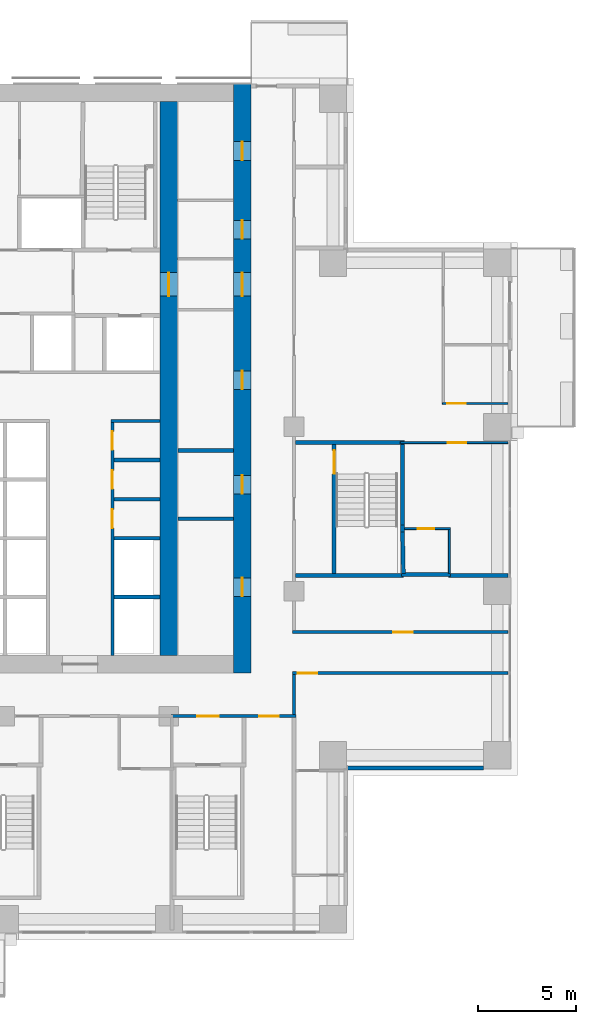
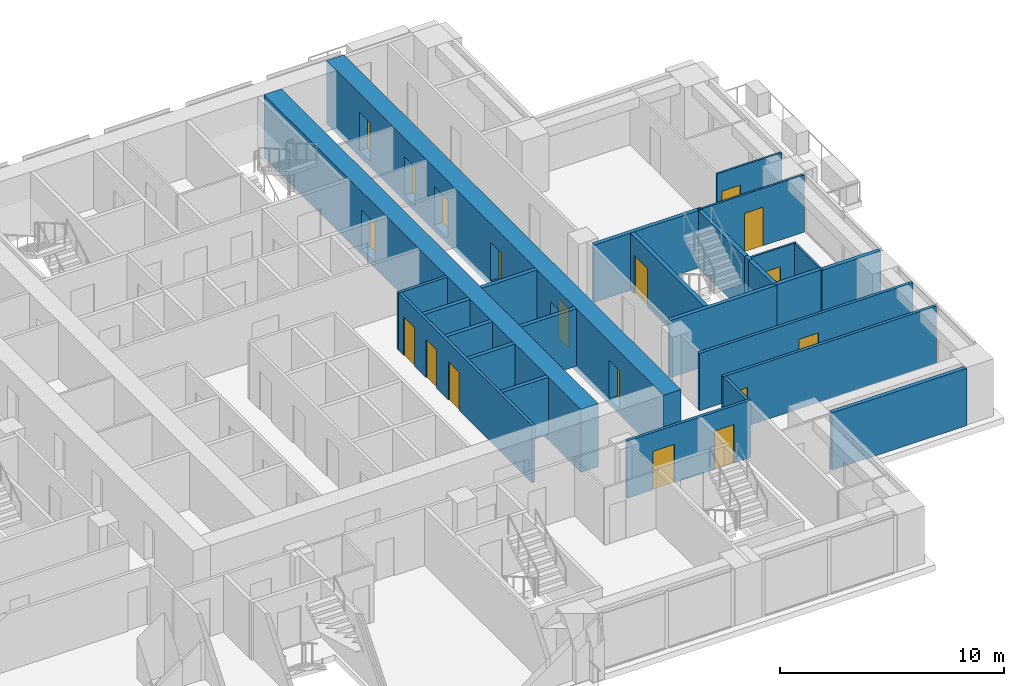
# One storey, part 9 of 16: 27 walls, 18 doors, 18 openings.
"""IFC4 building model written with IfcOpenShell, lengths in metres."""

import ifcopenshell
import ifcopenshell.guid

model = None  # the IFC model being written
_history = None  # IfcOwnerHistory: only IFC2X3 demands one
_inside = {}  # id of a spatial element -> (the spatial element, [elements in it])
_under = {}  # id of a project, library or spatial element -> (it, [spatial elements below it])
_declared = {}  # id of a project -> (the project, [libraries it declares])
_typed = {}  # id of a type object -> (the type object, [elements of that type])
_made_of = {}  # id of a material, layer set ... -> (it, [elements and type objects made of it])


def new_model(schema):
    """Start an empty IFC model of exactly this schema.

    Asked for "IFC4X3", IfcOpenShell would pick the latest addendum, in which some entities
    have other attributes; the version numbers below select the first issue.
    IFC2X3 requires an IfcOwnerHistory on every rooted entity: one is made here for all.
    """
    global model, _history
    if schema == "IFC4X3":
        model = ifcopenshell.file(schema_version=(4, 3, 0, 0))
    else:
        model = ifcopenshell.file(schema=schema)
    _inside.clear()
    _under.clear()
    _declared.clear()
    _typed.clear()
    _made_of.clear()
    _history = None
    if model.schema == "IFC2X3":
        org = make("IfcOrganization", Name="unknown")
        user = make(
            "IfcPersonAndOrganization",
            ThePerson=make("IfcPerson", FamilyName="unknown"),
            TheOrganization=org,
        )
        app = make(
            "IfcApplication",
            ApplicationDeveloper=org,
            Version="unknown",
            ApplicationFullName="unknown",
            ApplicationIdentifier="unknown",
        )
        _history = make(
            "IfcOwnerHistory",
            OwningUser=user,
            OwningApplication=app,
            ChangeAction="ADDED",
            CreationDate=0,
        )
    return model


def make(cls, **values):
    """One entity of the class cls with the attributes given. An attribute that is None is left unset."""
    return model.create_entity(
        cls, **{name: value for name, value in values.items() if value is not None}
    )


def rooted(cls, **values):
    """An entity with a GlobalId (a new one), such as an element, a storey or a relation."""
    return make(cls, GlobalId=ifcopenshell.guid.new(), OwnerHistory=_history, **values)


def si_unit(unit_type, name, prefix=None):
    """IfcSIUnit, for example si_unit("LENGTHUNIT", "METRE", prefix="MILLI")."""
    return make("IfcSIUnit", UnitType=unit_type, Prefix=prefix, Name=name)


def assignment(units):
    """IfcUnitAssignment: the units of a project."""
    return None if units is None else make("IfcUnitAssignment", Units=units)


def point(xyz):
    """IfcCartesianPoint."""
    return None if xyz is None else make("IfcCartesianPoint", Coordinates=xyz)


def direction(xyz):
    """IfcDirection."""
    return None if xyz is None else make("IfcDirection", DirectionRatios=xyz)


def frame(location, z_axis=None, x_axis=None):
    """IfcAxis2Placement3D, a coordinate frame: its origin and axes. An axis left out is left unset."""
    return make(
        "IfcAxis2Placement3D",
        Location=point(location),
        Axis=direction(z_axis),
        RefDirection=direction(x_axis),
    )


def frame_2d(location, x_axis=None):
    """IfcAxis2Placement2D, a coordinate frame in the plane: its origin and x axis."""
    return make(
        "IfcAxis2Placement2D", Location=point(location), RefDirection=direction(x_axis)
    )


def origin():
    """The frame at (0, 0, 0) with its axes left unset."""
    return frame((0.0, 0.0, 0.0))


def place(relative_to, where):
    """IfcLocalPlacement: puts the frame where relative to a parent placement (None: the world)."""
    return make(
        "IfcLocalPlacement", PlacementRelTo=relative_to, RelativePlacement=where
    )


def context(
    kind, dimensions, precision=None, world=None, true_north=None, identifier=None
):
    """IfcGeometricRepresentationContext, for example the 3D "Model" context."""
    return make(
        "IfcGeometricRepresentationContext",
        ContextIdentifier=identifier,
        ContextType=kind,
        CoordinateSpaceDimension=dimensions,
        Precision=precision,
        WorldCoordinateSystem=world,
        TrueNorth=true_north,
    )


def subcontext(parent, identifier, kind, view, scale=None):
    """IfcGeometricRepresentationSubContext, for example "Body" below "Model"."""
    return make(
        "IfcGeometricRepresentationSubContext",
        ContextIdentifier=identifier,
        ContextType=kind,
        ParentContext=parent,
        TargetScale=scale,
        TargetView=view,
    )


def project(units=None, contexts=None):
    """IfcProject with its units and contexts."""
    return rooted(
        "IfcProject",
        Name="project",
        RepresentationContexts=contexts,
        UnitsInContext=assignment(units),
    )


def spatial(cls, under=None, at=None, **own):
    """A site, building, storey or space (cls), placed at a placement, below another one or the project."""
    s = rooted(cls, ObjectPlacement=at, **own)
    if under is not None:
        _under.setdefault(under.id(), (under, []))[1].append(s)
    return s


def profile(cls, at=None, kind="AREA", **sizes):
    """A parametric profile (cls). Its sizes go by their IFC names, for example OverallWidth=200.0."""
    return make(cls, ProfileType=kind, Position=at, **sizes)


def rectangle(**sizes):
    """IfcRectangleProfileDef."""
    return profile("IfcRectangleProfileDef", **sizes)


def extrude(swept, where, along, depth):
    """IfcExtrudedAreaSolid: the profile swept, set in the frame where, extruded along a direction by depth."""
    return make(
        "IfcExtrudedAreaSolid",
        SweptArea=swept,
        Position=where,
        ExtrudedDirection=direction(along),
        Depth=depth,
    )


def shape(context_of_items, identifier, shape_type, items):
    """IfcShapeRepresentation: the items that make up one representation, for example the "Body"."""
    return make(
        "IfcShapeRepresentation",
        ContextOfItems=context_of_items,
        RepresentationIdentifier=identifier,
        RepresentationType=shape_type,
        Items=items,
    )


def material(Name=None, Category=None):
    """IfcMaterial."""
    return make("IfcMaterial", Name=Name, Category=Category)


def layer(
    of_material, thickness, ventilated=None, Name=None, Category=None, Priority=None
):
    """IfcMaterialLayer: one layer of a wall or slab, of a material (None: an air gap)."""
    return make(
        "IfcMaterialLayer",
        Material=of_material,
        LayerThickness=thickness,
        IsVentilated=ventilated,
        Name=Name,
        Category=Category,
        Priority=Priority,
    )


def layer_set(layers, Name=None):
    """IfcMaterialLayerSet."""
    return make("IfcMaterialLayerSet", MaterialLayers=layers, LayerSetName=Name)


def made_of(thing, what):
    """Note that an element or type object is made of a material, layer set ...; save() writes the relation."""
    if what is not None:
        _made_of.setdefault(what.id(), (what, []))[1].append(thing)
    return thing


def type_object(cls, material=None, **own):
    """A type object (cls), such as IfcWallType, which elements share."""
    return made_of(rooted(cls, **own), material)


def element(
    cls,
    number,
    at=None,
    inside=None,
    cuts=None,
    type_object=None,
    material=None,
    context=None,
    identifier="Body",
    shape_type=None,
    held_by="IfcProductDefinitionShape",
    body=None,
    shapes=None,
    **own,
):
    """One element of the class cls, such as IfcWall. Its Tag is "e" and its number.

    at: its placement. inside: the storey or other place that contains it. cuts: it is an
    opening in that element (IfcRelVoidsElement). A single representation is given by context,
    identifier, shape_type and body (its items); several are given by shapes. held_by: the class
    of the entity that holds the representations. save() writes the other relations.
    """
    e = rooted(cls, Tag="e%d" % number, ObjectPlacement=at, **own)
    if body is not None:
        shapes = [shape(context, identifier, shape_type, body)]
    if shapes is not None:
        e.Representation = make(held_by, Representations=shapes)
    if inside is not None:
        _inside.setdefault(inside.id(), (inside, []))[1].append(e)
    if cuts is not None:
        rooted(
            "IfcRelVoidsElement", RelatingBuildingElement=cuts, RelatedOpeningElement=e
        )
    if type_object is not None:
        _typed.setdefault(type_object.id(), (type_object, []))[1].append(e)
    return made_of(e, material)


def fill(opening, filler):
    """IfcRelFillsElement: the door or window that sits in an opening."""
    return rooted(
        "IfcRelFillsElement",
        RelatingOpeningElement=opening,
        RelatedBuildingElement=filler,
    )


def aggregate(whole, parts):
    """IfcRelAggregates: a whole, such as a stair, and the parts it consists of."""
    return rooted("IfcRelAggregates", RelatingObject=whole, RelatedObjects=parts)


def save(model, path):
    """Write the relations noted so far, then the file.

    IfcRelAggregates (storeys below a building ...), IfcRelContainedInSpatialStructure (elements
    in a storey), IfcRelDefinesByType, IfcRelAssociatesMaterial and IfcRelDeclares: one each for
    every whole, place, type object, material and project.
    """
    for whole, parts in _under.values():
        aggregate(whole, parts)
    for where, things in _inside.values():
        rooted(
            "IfcRelContainedInSpatialStructure",
            RelatedElements=things,
            RelatingStructure=where,
        )
    for kind, things in _typed.values():
        rooted("IfcRelDefinesByType", RelatedObjects=things, RelatingType=kind)
    for what, things in _made_of.values():
        rooted("IfcRelAssociatesMaterial", RelatedObjects=things, RelatingMaterial=what)
    for by, libraries in _declared.values():
        rooted("IfcRelDeclares", RelatingContext=by, RelatedDefinitions=libraries)
    model.write(path)


model = new_model("IFC4")

# Units and contexts
model_context = context("Model", 3, precision=1e-05, world=origin(), true_north=direction((0.0, 1.0)))
body_context = subcontext(model_context, "Body", "Model", "MODEL_VIEW")
ifc_project = project(units=[si_unit("LENGTHUNIT", "METRE"), si_unit("AREAUNIT", "SQUARE_METRE"), si_unit("VOLUMEUNIT", "CUBIC_METRE"), si_unit("PLANEANGLEUNIT", "RADIAN"), si_unit("MASSUNIT", "GRAM", prefix="KILO")], contexts=[model_context])

# Site, building, storey
site_placement = place(None, origin())
site = spatial("IfcSite", under=ifc_project, at=site_placement, CompositionType="ELEMENT")
building_placement = place(site_placement, origin())
building = spatial("IfcBuilding", under=site, at=building_placement, Name="Vermilion Ogive Tower", CompositionType="ELEMENT")
storey_placement = place(building_placement, frame((0.0, 0.0, 41.39990234375)))
storey = spatial("IfcBuildingStorey", under=building, at=storey_placement, Name="L08", CompositionType="ELEMENT", Elevation=41.39990234375)

# Wall, openings, doors
ifc_material_1 = material(Name="Concrete B80", Category="concrete")
ifc_layer_1 = layer(ifc_material_1, 0.89990234375)
ifc_layer_set_1 = layer_set([ifc_layer_1], Name="Core wall 900 B80")
wall_type_1 = type_object("IfcWallType", Name="Core wall 900 B80", PredefinedType="SHEAR", material=ifc_layer_set_1)
wall_1_placement = place(storey_placement, frame((12.14990234375, -8.39990234375, -0.31982421875), z_axis=(0.0, 0.0, 1.0), x_axis=(0.0, 1.0, 0.0)))
wall_1 = element("IfcWall", 1, at=wall_1_placement, inside=storey, type_object=wall_type_1, Name="L08-CORE-E", PredefinedType="SHEAR", context=body_context, shape_type="SweptSolid", body=[
    extrude(rectangle(XDim=30.14990234375, YDim=0.89990234375, at=frame_2d((15.074951171875, 0.0))), origin(), (0.0, 0.0, 1.0), 3.449951171875),
])
opening_1_placement = place(wall_1_placement, frame((3.925048828125, 0.0, 0.320068359375)))
opening_1 = element("IfcOpeningElement", 2, at=opening_1_placement, cuts=wall_1, Name="Opening DAC007", PredefinedType="OPENING", context=body_context, shape_type="SweptSolid", body=[
    extrude(rectangle(XDim=0.949951171875, YDim=2.10009765625, at=frame_2d((0.47509765625, 1.050048828125))), frame((0.0, 0.4599609375, 0.0), z_axis=(0.0, -1.0, 0.0), x_axis=(1.0, 0.0, 0.0)), (0.0, 0.0, 1.0), 0.919921875),
])
opening_2_placement = place(wall_1_placement, frame((9.175048828125, 0.0, 0.320068359375)))
opening_2 = element("IfcOpeningElement", 3, at=opening_2_placement, cuts=wall_1, Name="Opening DAC008", PredefinedType="OPENING", context=body_context, shape_type="SweptSolid", body=[
    extrude(rectangle(XDim=0.949951171875, YDim=2.10009765625, at=frame_2d((0.47509765625, 1.050048828125))), frame((0.0, 0.4599609375, 0.0), z_axis=(0.0, -1.0, 0.0), x_axis=(1.0, 0.0, 0.0)), (0.0, 0.0, 1.0), 0.919921875),
])
opening_3_placement = place(wall_1_placement, frame((14.52490234375, 0.0, 0.320068359375)))
opening_3 = element("IfcOpeningElement", 4, at=opening_3_placement, cuts=wall_1, Name="Opening DAC009", PredefinedType="OPENING", context=body_context, shape_type="SweptSolid", body=[
    extrude(rectangle(XDim=0.949951171875, YDim=2.10009765625, at=frame_2d((0.47509765625, 1.050048828125))), frame((0.0, 0.4599609375, 0.0), z_axis=(0.0, -1.0, 0.0), x_axis=(1.0, 0.0, 0.0)), (0.0, 0.0, 1.0), 0.919921875),
])
opening_4_placement = place(wall_1_placement, frame((22.22509765625, 0.0, 0.320068359375)))
opening_4 = element("IfcOpeningElement", 5, at=opening_4_placement, cuts=wall_1, Name="Opening DAC010", PredefinedType="OPENING", context=body_context, shape_type="SweptSolid", body=[
    extrude(rectangle(XDim=0.949951171875, YDim=2.10009765625, at=frame_2d((0.47509765625, 1.050048828125))), frame((0.0, 0.4599609375, 0.0), z_axis=(0.0, -1.0, 0.0), x_axis=(1.0, 0.0, 0.0)), (0.0, 0.0, 1.0), 0.919921875),
])
opening_5_placement = place(wall_1_placement, frame((26.25, 0.0, 0.320068359375)))
opening_5 = element("IfcOpeningElement", 6, at=opening_5_placement, cuts=wall_1, Name="Opening DAC011", PredefinedType="OPENING", context=body_context, shape_type="SweptSolid", body=[
    extrude(rectangle(XDim=0.949951171875, YDim=2.10009765625, at=frame_2d((0.47509765625, 1.050048828125))), frame((0.0, 0.4599609375, 0.0), z_axis=(0.0, -1.0, 0.0), x_axis=(1.0, 0.0, 0.0)), (0.0, 0.0, 1.0), 0.919921875),
])
opening_6_placement = place(wall_1_placement, frame((19.300048828125, 0.0, 0.320068359375)))
opening_6 = element("IfcOpeningElement", 7, at=opening_6_placement, cuts=wall_1, Name="Opening DAL002", PredefinedType="OPENING", context=body_context, shape_type="SweptSolid", body=[
    extrude(rectangle(XDim=1.199951171875, YDim=2.10009765625, at=frame_2d((0.60009765625, 1.050048828125))), frame((0.0, 0.4599609375, 0.0), z_axis=(0.0, -1.0, 0.0), x_axis=(1.0, 0.0, 0.0)), (0.0, 0.0, 1.0), 0.919921875),
])
ifc_material_2 = material(Name="Timber door leaf", Category="wood")
door_type_1 = type_object("IfcDoorType", Name="Link door 1200 x 2100 FD60S", OperationType="SINGLE_SWING_LEFT", PredefinedType="DOOR", material=ifc_material_2)
door_1_placement = place(opening_6_placement, origin())
door_1 = element("IfcDoor", 8, at=door_1_placement, inside=storey, type_object=door_type_1, Name="L08-CKE-XL", OperationType="SINGLE_SWING_LEFT", OverallHeight=2.10009765625, OverallWidth=1.199951171875, PredefinedType="DOOR", context=body_context, shape_type="SweptSolid", body=[
    extrude(rectangle(XDim=1.199951171875, YDim=2.10009765625, at=frame_2d((0.60009765625, 1.050048828125))), frame((0.0, 0.02490234375, 0.0), z_axis=(0.0, -1.0, 0.0), x_axis=(1.0, 0.0, 0.0)), (0.0, 0.0, 1.0), 0.050048828125),
])
fill(opening_6, door_1)
ifc_material_3 = material(Name="Timber door leaf", Category="wood")
door_type_2 = type_object("IfcDoorType", Name="Service door 950 x 2100 FD60", OperationType="SINGLE_SWING_LEFT", PredefinedType="DOOR", material=ifc_material_3)
door_2_placement = place(opening_1_placement, origin())
door_2 = element("IfcDoor", 9, at=door_2_placement, inside=storey, type_object=door_type_2, Name="L08-CKE-XR0", OperationType="SINGLE_SWING_LEFT", OverallHeight=2.10009765625, OverallWidth=0.949951171875, PredefinedType="DOOR", context=body_context, shape_type="SweptSolid", body=[
    extrude(rectangle(XDim=0.949951171875, YDim=2.10009765625, at=frame_2d((0.47509765625, 1.050048828125))), frame((0.0, 0.02490234375, 0.0), z_axis=(0.0, -1.0, 0.0), x_axis=(1.0, 0.0, 0.0)), (0.0, 0.0, 1.0), 0.050048828125),
])
fill(opening_1, door_2)
door_3_placement = place(opening_2_placement, origin())
door_3 = element("IfcDoor", 10, at=door_3_placement, inside=storey, type_object=door_type_2, Name="L08-CKE-XR1", OperationType="SINGLE_SWING_LEFT", OverallHeight=2.10009765625, OverallWidth=0.949951171875, PredefinedType="DOOR", context=body_context, shape_type="SweptSolid", body=[
    extrude(rectangle(XDim=0.949951171875, YDim=2.10009765625, at=frame_2d((0.47509765625, 1.050048828125))), frame((0.0, 0.02490234375, 0.0), z_axis=(0.0, -1.0, 0.0), x_axis=(1.0, 0.0, 0.0)), (0.0, 0.0, 1.0), 0.050048828125),
])
fill(opening_2, door_3)
door_4_placement = place(opening_3_placement, origin())
door_4 = element("IfcDoor", 11, at=door_4_placement, inside=storey, type_object=door_type_2, Name="L08-CKE-XR2", OperationType="SINGLE_SWING_LEFT", OverallHeight=2.10009765625, OverallWidth=0.949951171875, PredefinedType="DOOR", context=body_context, shape_type="SweptSolid", body=[
    extrude(rectangle(XDim=0.949951171875, YDim=2.10009765625, at=frame_2d((0.47509765625, 1.050048828125))), frame((0.0, 0.02490234375, 0.0), z_axis=(0.0, -1.0, 0.0), x_axis=(1.0, 0.0, 0.0)), (0.0, 0.0, 1.0), 0.050048828125),
])
fill(opening_3, door_4)
door_5_placement = place(opening_4_placement, origin())
door_5 = element("IfcDoor", 12, at=door_5_placement, inside=storey, type_object=door_type_2, Name="L08-CKE-XR3", OperationType="SINGLE_SWING_LEFT", OverallHeight=2.10009765625, OverallWidth=0.949951171875, PredefinedType="DOOR", context=body_context, shape_type="SweptSolid", body=[
    extrude(rectangle(XDim=0.949951171875, YDim=2.10009765625, at=frame_2d((0.47509765625, 1.050048828125))), frame((0.0, 0.02490234375, 0.0), z_axis=(0.0, -1.0, 0.0), x_axis=(1.0, 0.0, 0.0)), (0.0, 0.0, 1.0), 0.050048828125),
])
fill(opening_4, door_5)
door_6_placement = place(opening_5_placement, origin())
door_6 = element("IfcDoor", 13, at=door_6_placement, inside=storey, type_object=door_type_2, Name="L08-CKE-XR4", OperationType="SINGLE_SWING_LEFT", OverallHeight=2.10009765625, OverallWidth=0.949951171875, PredefinedType="DOOR", context=body_context, shape_type="SweptSolid", body=[
    extrude(rectangle(XDim=0.949951171875, YDim=2.10009765625, at=frame_2d((0.47509765625, 1.050048828125))), frame((0.0, 0.02490234375, 0.0), z_axis=(0.0, -1.0, 0.0), x_axis=(1.0, 0.0, 0.0)), (0.0, 0.0, 1.0), 0.050048828125),
])
fill(opening_5, door_6)

# Wall, opening, door
wall_2_placement = place(storey_placement, frame((8.39990234375, -7.5, -0.31982421875), z_axis=(0.0, 0.0, 1.0), x_axis=(0.0, 1.0, 0.0)))
wall_2 = element("IfcWall", 14, at=wall_2_placement, inside=storey, type_object=wall_type_1, Name="L08-CORE-WEB2", PredefinedType="SHEAR", context=body_context, shape_type="SweptSolid", body=[
    extrude(rectangle(XDim=28.35009765625, YDim=0.89990234375, at=frame_2d((14.175048828125, 0.0))), origin(), (0.0, 0.0, 1.0), 3.449951171875),
])
opening_7_placement = place(wall_2_placement, frame((18.39990234375, 0.0, 0.320068359375)))
opening_7 = element("IfcOpeningElement", 15, at=opening_7_placement, cuts=wall_2, Name="Opening DAO002", PredefinedType="OPENING", context=body_context, shape_type="SweptSolid", body=[
    extrude(rectangle(XDim=1.199951171875, YDim=2.10009765625, at=frame_2d((0.60009765625, 1.050048828125))), frame((0.0, 0.4599609375, 0.0), z_axis=(0.0, -1.0, 0.0), x_axis=(1.0, 0.0, 0.0)), (0.0, 0.0, 1.0), 0.919921875),
])
door_7_placement = place(opening_7_placement, origin())
door_7 = element("IfcDoor", 16, at=door_7_placement, inside=storey, type_object=door_type_1, Name="L08-CKE-XW", OperationType="SINGLE_SWING_LEFT", OverallHeight=2.10009765625, OverallWidth=1.199951171875, PredefinedType="DOOR", context=body_context, shape_type="SweptSolid", body=[
    extrude(rectangle(XDim=1.199951171875, YDim=2.10009765625, at=frame_2d((0.60009765625, 1.050048828125))), frame((0.0, 0.02490234375, 0.0), z_axis=(0.0, -1.0, 0.0), x_axis=(1.0, 0.0, 0.0)), (0.0, 0.0, 1.0), 0.050048828125),
])
fill(opening_7, door_7)

ifc_material_4 = material(Name="Gypsum board partition on steel studs", Category="steel")
ifc_layer_2 = layer(ifc_material_4, 0.10009765625)
ifc_layer_set_2 = layer_set([ifc_layer_2], Name="Partition 100 bath")
wall_type_2 = type_object("IfcWallType", Name="Partition 100 bath", PredefinedType="PARTITIONING", material=ifc_layer_set_2)
wall_3_placement = place(storey_placement, frame((20.449951171875, -1.0, 0.0), z_axis=(0.0, 0.0, 1.0), x_axis=(1.0, 0.0, 0.0)))
wall_3 = element("IfcWall", 17, at=wall_3_placement, inside=storey, type_object=wall_type_2, Name="L08-W-W027", PredefinedType="PARTITIONING", context=body_context, shape_type="SweptSolid", body=[
    extrude(rectangle(XDim=2.35009765625, YDim=0.10009765625, at=frame_2d((1.175048828125, 0.0))), origin(), (0.0, 0.0, 1.0), 3.130126953125),
])
opening_8_placement = place(wall_3_placement, frame((0.675048828125, 0.0, 0.0)))
opening_8 = element("IfcOpeningElement", 18, at=opening_8_placement, cuts=wall_3, Name="Opening D1G2022", PredefinedType="OPENING", context=body_context, shape_type="SweptSolid", body=[
    extrude(rectangle(XDim=0.85009765625, YDim=2.10009765625, at=frame_2d((0.425048828125, 1.050048828125))), frame((0.0, 0.06005859375, 0.0), z_axis=(0.0, -1.0, 0.0), x_axis=(1.0, 0.0, 0.0)), (0.0, 0.0, 1.0), 0.1201171875),
])
ifc_material_5 = material(Name="Timber door leaf", Category="wood")
door_type_3 = type_object("IfcDoorType", Name="Bath door 850 x 2100 FD30", OperationType="SINGLE_SWING_LEFT", PredefinedType="DOOR", material=ifc_material_5)
door_8_placement = place(opening_8_placement, origin())
door_8 = element("IfcDoor", 19, at=door_8_placement, inside=storey, type_object=door_type_3, Name="L08-D-D022", OperationType="SINGLE_SWING_RIGHT", OverallHeight=2.10009765625, OverallWidth=0.85009765625, PredefinedType="DOOR", context=body_context, shape_type="SweptSolid", body=[
    extrude(rectangle(XDim=0.85009765625, YDim=2.10009765625, at=frame_2d((0.425048828125, 1.050048828125))), frame((0.0, 0.02490234375, 0.0), z_axis=(0.0, -1.0, 0.0), x_axis=(1.0, 0.0, 0.0)), (0.0, 0.0, 1.0), 0.050048828125),
])
fill(opening_8, door_8)

# Wall
wall_4_placement = place(storey_placement, frame((22.75, -3.300048828125, 0.0), z_axis=(0.0, 0.0, 1.0), x_axis=(0.0, 1.0, 0.0)))
element("IfcWall", 20, at=wall_4_placement, inside=storey, type_object=wall_type_2, Name="L08-W-W073", PredefinedType="PARTITIONING", context=body_context, shape_type="SweptSolid", body=[
    extrude(rectangle(XDim=2.25, YDim=0.10009765625, at=frame_2d((1.125, 0.0))), origin(), (0.0, 0.0, 1.0), 3.130126953125),
])

# Wall, opening, door
ifc_material_6 = material(Name="Gypsum board partition on steel studs", Category="steel")
ifc_layer_3 = layer(ifc_material_6, 0.10009765625)
ifc_layer_set_3 = layer_set([ifc_layer_3], Name="Partition 100 inner")
wall_type_3 = type_object("IfcWallType", Name="Partition 100 inner", PredefinedType="PARTITIONING", material=ifc_layer_set_3)
wall_5_placement = place(storey_placement, frame((20.25, 3.39990234375, 0.0), z_axis=(0.0, 0.0, 1.0), x_axis=(1.0, 0.0, 0.0)))
wall_5 = element("IfcWall", 21, at=wall_5_placement, inside=storey, type_object=wall_type_3, Name="L08-W-W032", PredefinedType="PARTITIONING", context=body_context, shape_type="SweptSolid", body=[
    extrude(rectangle(XDim=5.5, YDim=0.10009765625, at=frame_2d((2.75, 0.0))), origin(), (0.0, 0.0, 1.0), 3.130126953125),
])
opening_9_placement = place(wall_5_placement, frame((2.425048828125, 0.0, 0.0)))
opening_9 = element("IfcOpeningElement", 22, at=opening_9_placement, cuts=wall_5, Name="Opening D1G2021", PredefinedType="OPENING", context=body_context, shape_type="SweptSolid", body=[
    extrude(rectangle(XDim=0.949951171875, YDim=2.10009765625, at=frame_2d((0.47509765625, 1.050048828125))), frame((0.0, 0.06005859375, 0.0), z_axis=(0.0, -1.0, 0.0), x_axis=(1.0, 0.0, 0.0)), (0.0, 0.0, 1.0), 0.1201171875),
])
ifc_material_7 = material(Name="Timber door leaf", Category="wood")
door_type_4 = type_object("IfcDoorType", Name="Inner door 950 x 2100 FD30", OperationType="SINGLE_SWING_LEFT", PredefinedType="DOOR", material=ifc_material_7)
door_9_placement = place(opening_9_placement, origin())
door_9 = element("IfcDoor", 23, at=door_9_placement, inside=storey, type_object=door_type_4, Name="L08-D-D021", OperationType="SINGLE_SWING_LEFT", OverallHeight=2.10009765625, OverallWidth=0.949951171875, PredefinedType="DOOR", context=body_context, shape_type="SweptSolid", body=[
    extrude(rectangle(XDim=0.949951171875, YDim=2.10009765625, at=frame_2d((0.47509765625, 1.050048828125))), frame((0.0, 0.02490234375, 0.0), z_axis=(0.0, -1.0, 0.0), x_axis=(1.0, 0.0, 0.0)), (0.0, 0.0, 1.0), 0.050048828125),
])
fill(opening_9, door_9)

wall_6_placement = place(storey_placement, frame((22.39990234375, 5.39990234375, 0.0), z_axis=(0.0, 0.0, 1.0), x_axis=(1.0, 0.0, 0.0)))
wall_6 = element("IfcWall", 24, at=wall_6_placement, inside=storey, type_object=wall_type_3, Name="L08-W-W034", PredefinedType="PARTITIONING", context=body_context, shape_type="SweptSolid", body=[
    extrude(rectangle(XDim=3.35009765625, YDim=0.10009765625, at=frame_2d((1.675048828125, 0.0))), origin(), (0.0, 0.0, 1.0), 3.130126953125),
])
opening_10_placement = place(wall_6_placement, frame((0.25, 0.0, 0.0)))
opening_10 = element("IfcOpeningElement", 25, at=opening_10_placement, cuts=wall_6, Name="Opening D1G2018", PredefinedType="OPENING", context=body_context, shape_type="SweptSolid", body=[
    extrude(rectangle(XDim=0.949951171875, YDim=2.10009765625, at=frame_2d((0.47509765625, 1.050048828125))), frame((0.0, 0.06005859375, 0.0), z_axis=(0.0, -1.0, 0.0), x_axis=(1.0, 0.0, 0.0)), (0.0, 0.0, 1.0), 0.1201171875),
])
door_10_placement = place(opening_10_placement, origin())
door_10 = element("IfcDoor", 26, at=door_10_placement, inside=storey, type_object=door_type_4, Name="L08-D-D018", OperationType="SINGLE_SWING_LEFT", OverallHeight=2.10009765625, OverallWidth=0.949951171875, PredefinedType="DOOR", context=body_context, shape_type="SweptSolid", body=[
    extrude(rectangle(XDim=0.949951171875, YDim=2.10009765625, at=frame_2d((0.47509765625, 1.050048828125))), frame((0.0, 0.02490234375, 0.0), z_axis=(0.0, -1.0, 0.0), x_axis=(1.0, 0.0, 0.0)), (0.0, 0.0, 1.0), 0.050048828125),
])
fill(opening_10, door_10)

# Wall, openings, doors
ifc_material_8 = material(Name="Gypsum board partition on steel studs", Category="steel")
ifc_layer_4 = layer(ifc_material_8, 0.14990234375)
ifc_layer_set_4 = layer_set([ifc_layer_4], Name="Partition 150 corridor")
wall_type_4 = type_object("IfcWallType", Name="Partition 150 corridor", PredefinedType="PARTITIONING", material=ifc_layer_set_4)
wall_7_placement = place(storey_placement, frame((8.5, -10.60009765625, 0.0), z_axis=(0.0, 0.0, 1.0), x_axis=(1.0, 0.0, 0.0)))
wall_7 = element("IfcWall", 27, at=wall_7_placement, inside=storey, type_object=wall_type_4, Name="L08-W-W017", PredefinedType="PARTITIONING", context=body_context, shape_type="SweptSolid", body=[
    extrude(rectangle(XDim=6.39990234375, YDim=0.14990234375, at=frame_2d((3.199951171875, 0.0))), origin(), (0.0, 0.0, 1.0), 3.130126953125),
])
opening_11_placement = place(wall_7_placement, frame((1.35009765625, 0.0, 0.0)))
opening_11 = element("IfcOpeningElement", 28, at=opening_11_placement, cuts=wall_7, Name="Opening D1G2029", PredefinedType="OPENING", context=body_context, shape_type="SweptSolid", body=[
    extrude(rectangle(XDim=1.10009765625, YDim=2.10009765625, at=frame_2d((0.550048828125, 1.050048828125))), frame((0.0, 0.0849609375, 0.0), z_axis=(0.0, -1.0, 0.0), x_axis=(1.0, 0.0, 0.0)), (0.0, 0.0, 1.0), 0.169921875),
])
opening_12_placement = place(wall_7_placement, frame((4.52490234375, 0.0, 0.0)))
opening_12 = element("IfcOpeningElement", 29, at=opening_12_placement, cuts=wall_7, Name="Opening D1G2036", PredefinedType="OPENING", context=body_context, shape_type="SweptSolid", body=[
    extrude(rectangle(XDim=1.0, YDim=2.10009765625, at=frame_2d((0.5, 1.050048828125))), frame((0.0, 0.0849609375, 0.0), z_axis=(0.0, -1.0, 0.0), x_axis=(1.0, 0.0, 0.0)), (0.0, 0.0, 1.0), 0.169921875),
])
ifc_material_9 = material(Name="Timber door leaf", Category="wood")
door_type_5 = type_object("IfcDoorType", Name="Stair door 1100 x 2100 FD60S", OperationType="SINGLE_SWING_LEFT", PredefinedType="DOOR", material=ifc_material_9)
door_11_placement = place(opening_11_placement, origin())
door_11 = element("IfcDoor", 30, at=door_11_placement, inside=storey, type_object=door_type_5, Name="L08-D-D029", OperationType="SINGLE_SWING_RIGHT", OverallHeight=2.10009765625, OverallWidth=1.10009765625, PredefinedType="DOOR", context=body_context, shape_type="SweptSolid", body=[
    extrude(rectangle(XDim=1.10009765625, YDim=2.10009765625, at=frame_2d((0.550048828125, 1.050048828125))), frame((0.0, 0.02490234375, 0.0), z_axis=(0.0, -1.0, 0.0), x_axis=(1.0, 0.0, 0.0)), (0.0, 0.0, 1.0), 0.050048828125),
])
fill(opening_11, door_11)
ifc_material_10 = material(Name="Timber door leaf", Category="wood")
door_type_6 = type_object("IfcDoorType", Name="Unit door 1000 x 2100 FD30S", OperationType="SINGLE_SWING_LEFT", PredefinedType="DOOR", material=ifc_material_10)
door_12_placement = place(opening_12_placement, origin())
door_12 = element("IfcDoor", 31, at=door_12_placement, inside=storey, type_object=door_type_6, Name="L08-D-D036", OperationType="SINGLE_SWING_RIGHT", OverallHeight=2.10009765625, OverallWidth=1.0, PredefinedType="DOOR", context=body_context, shape_type="SweptSolid", body=[
    extrude(rectangle(XDim=1.0, YDim=2.10009765625, at=frame_2d((0.5, 1.050048828125))), frame((0.0, 0.02490234375, 0.0), z_axis=(0.0, -1.0, 0.0), x_axis=(1.0, 0.0, 0.0)), (0.0, 0.0, 1.0), 0.050048828125),
])
fill(opening_12, door_12)

# Wall, opening, door
wall_8_placement = place(storey_placement, frame((14.72509765625, -8.39990234375, 0.0), z_axis=(0.0, 0.0, 1.0), x_axis=(1.0, 0.0, 0.0)))
wall_8 = element("IfcWall", 32, at=wall_8_placement, inside=storey, type_object=wall_type_4, Name="L08-W-W019", PredefinedType="PARTITIONING", context=body_context, shape_type="SweptSolid", body=[
    extrude(rectangle(XDim=11.02490234375, YDim=0.14990234375, at=frame_2d((5.512451171875, 0.0))), origin(), (0.0, 0.0, 1.0), 3.130126953125),
])
opening_13_placement = place(wall_8_placement, frame((0.27490234375, 0.0, 0.0)))
opening_13 = element("IfcOpeningElement", 33, at=opening_13_placement, cuts=wall_8, Name="Opening D1G2015", PredefinedType="OPENING", context=body_context, shape_type="SweptSolid", body=[
    extrude(rectangle(XDim=1.0, YDim=2.10009765625, at=frame_2d((0.5, 1.050048828125))), frame((0.0, 0.0849609375, 0.0), z_axis=(0.0, -1.0, 0.0), x_axis=(1.0, 0.0, 0.0)), (0.0, 0.0, 1.0), 0.169921875),
])
door_13_placement = place(opening_13_placement, origin())
door_13 = element("IfcDoor", 34, at=door_13_placement, inside=storey, type_object=door_type_6, Name="L08-D-D015", OperationType="SINGLE_SWING_RIGHT", OverallHeight=2.10009765625, OverallWidth=1.0, PredefinedType="DOOR", context=body_context, shape_type="SweptSolid", body=[
    extrude(rectangle(XDim=1.0, YDim=2.10009765625, at=frame_2d((0.5, 1.050048828125))), frame((0.0, 0.02490234375, 0.0), z_axis=(0.0, -1.0, 0.0), x_axis=(1.0, 0.0, 0.0)), (0.0, 0.0, 1.0), 0.050048828125),
])
fill(opening_13, door_13)

wall_9_placement = place(storey_placement, frame((14.72509765625, -6.300048828125, 0.0), z_axis=(0.0, 0.0, 1.0), x_axis=(1.0, 0.0, 0.0)))
wall_9 = element("IfcWall", 35, at=wall_9_placement, inside=storey, type_object=wall_type_4, Name="L08-W-W021", PredefinedType="PARTITIONING", context=body_context, shape_type="SweptSolid", body=[
    extrude(rectangle(XDim=11.02490234375, YDim=0.14990234375, at=frame_2d((5.512451171875, 0.0))), origin(), (0.0, 0.0, 1.0), 3.130126953125),
])
opening_14_placement = place(wall_9_placement, frame((5.14990234375, 0.0, 0.0)))
opening_14 = element("IfcOpeningElement", 36, at=opening_14_placement, cuts=wall_9, Name="Opening D1G2038", PredefinedType="OPENING", context=body_context, shape_type="SweptSolid", body=[
    extrude(rectangle(XDim=1.0, YDim=2.10009765625, at=frame_2d((0.5, 1.050048828125))), frame((0.0, 0.0849609375, 0.0), z_axis=(0.0, -1.0, 0.0), x_axis=(1.0, 0.0, 0.0)), (0.0, 0.0, 1.0), 0.169921875),
])
door_14_placement = place(opening_14_placement, origin())
door_14 = element("IfcDoor", 37, at=door_14_placement, inside=storey, type_object=door_type_6, Name="L08-D-D038", OperationType="SINGLE_SWING_RIGHT", OverallHeight=2.10009765625, OverallWidth=1.0, PredefinedType="DOOR", context=body_context, shape_type="SweptSolid", body=[
    extrude(rectangle(XDim=1.0, YDim=2.10009765625, at=frame_2d((0.5, 1.050048828125))), frame((0.0, 0.02490234375, 0.0), z_axis=(0.0, -1.0, 0.0), x_axis=(1.0, 0.0, 0.0)), (0.0, 0.0, 1.0), 0.050048828125),
])
fill(opening_14, door_14)

# Walls
wall_10_placement = place(storey_placement, frame((14.800048828125, -10.52490234375, 0.0), z_axis=(0.0, 0.0, 1.0), x_axis=(0.0, 1.0, 0.0)))
element("IfcWall", 38, at=wall_10_placement, inside=storey, type_object=wall_type_4, Name="L08-W-W067", PredefinedType="PARTITIONING", context=body_context, shape_type="SweptSolid", body=[
    extrude(rectangle(XDim=2.0498046875, YDim=0.14990234375, at=frame_2d((1.02490234375, 0.0))), origin(), (0.0, 0.0, 1.0), 3.130126953125),
])
wall_11_placement = place(storey_placement, frame((5.425048828125, 4.5, 0.0), z_axis=(0.0, 0.0, 1.0), x_axis=(1.0, 0.0, 0.0)))
element("IfcWall", 39, at=wall_11_placement, inside=storey, type_object=wall_type_4, Name="L08-CK-W-W013", PredefinedType="PARTITIONING", context=body_context, shape_type="SweptSolid", body=[
    extrude(rectangle(XDim=2.52392578125, YDim=0.14990234375, at=frame_2d((1.261962890625, 0.0))), origin(), (0.0, 0.0, 1.0), 3.130126953125),
])

# Wall, openings, doors
wall_12_placement = place(storey_placement, frame((5.5, -7.4990234375, 0.0), z_axis=(0.0, 0.0, 1.0), x_axis=(0.0, 1.0, 0.0)))
wall_12 = element("IfcWall", 40, at=wall_12_placement, inside=storey, type_object=wall_type_4, Name="L08-CK-W-W041", PredefinedType="PARTITIONING", context=body_context, shape_type="SweptSolid", body=[
    extrude(rectangle(XDim=11.924072265625, YDim=0.14990234375, at=frame_2d((5.9619140625, 0.0))), origin(), (0.0, 0.0, 1.0), 3.130126953125),
])
opening_15_placement = place(wall_12_placement, frame((6.52392578125, 0.0, 0.0)))
opening_15 = element("IfcOpeningElement", 41, at=opening_15_placement, cuts=wall_12, Name="Opening DAA027", PredefinedType="OPENING", context=body_context, shape_type="SweptSolid", body=[
    extrude(rectangle(XDim=0.949951171875, YDim=2.10009765625, at=frame_2d((0.47509765625, 1.050048828125))), frame((0.0, 0.0849609375, 0.0), z_axis=(0.0, -1.0, 0.0), x_axis=(1.0, 0.0, 0.0)), (0.0, 0.0, 1.0), 0.169921875),
])
opening_16_placement = place(wall_12_placement, frame((8.52392578125, 0.0, 0.0)))
opening_16 = element("IfcOpeningElement", 42, at=opening_16_placement, cuts=wall_12, Name="Opening DAA028", PredefinedType="OPENING", context=body_context, shape_type="SweptSolid", body=[
    extrude(rectangle(XDim=0.949951171875, YDim=2.10009765625, at=frame_2d((0.47509765625, 1.050048828125))), frame((0.0, 0.0849609375, 0.0), z_axis=(0.0, -1.0, 0.0), x_axis=(1.0, 0.0, 0.0)), (0.0, 0.0, 1.0), 0.169921875),
])
opening_17_placement = place(wall_12_placement, frame((10.52392578125, 0.0, 0.0)))
opening_17 = element("IfcOpeningElement", 43, at=opening_17_placement, cuts=wall_12, Name="Opening DAA029", PredefinedType="OPENING", context=body_context, shape_type="SweptSolid", body=[
    extrude(rectangle(XDim=0.949951171875, YDim=2.10009765625, at=frame_2d((0.47509765625, 1.050048828125))), frame((0.0, 0.0849609375, 0.0), z_axis=(0.0, -1.0, 0.0), x_axis=(1.0, 0.0, 0.0)), (0.0, 0.0, 1.0), 0.169921875),
])
door_15_placement = place(opening_15_placement, origin())
door_15 = element("IfcDoor", 44, at=door_15_placement, inside=storey, type_object=door_type_2, Name="L08-CK-D-D009", OperationType="SINGLE_SWING_RIGHT", OverallHeight=2.10009765625, OverallWidth=0.949951171875, PredefinedType="DOOR", context=body_context, shape_type="SweptSolid", body=[
    extrude(rectangle(XDim=0.949951171875, YDim=2.10009765625, at=frame_2d((0.47509765625, 1.050048828125))), frame((0.0, 0.02490234375, 0.0), z_axis=(0.0, -1.0, 0.0), x_axis=(1.0, 0.0, 0.0)), (0.0, 0.0, 1.0), 0.050048828125),
])
fill(opening_15, door_15)
door_16_placement = place(opening_16_placement, origin())
door_16 = element("IfcDoor", 45, at=door_16_placement, inside=storey, type_object=door_type_2, Name="L08-CK-D-D010", OperationType="SINGLE_SWING_LEFT", OverallHeight=2.10009765625, OverallWidth=0.949951171875, PredefinedType="DOOR", context=body_context, shape_type="SweptSolid", body=[
    extrude(rectangle(XDim=0.949951171875, YDim=2.10009765625, at=frame_2d((0.47509765625, 1.050048828125))), frame((0.0, 0.02490234375, 0.0), z_axis=(0.0, -1.0, 0.0), x_axis=(1.0, 0.0, 0.0)), (0.0, 0.0, 1.0), 0.050048828125),
])
fill(opening_16, door_16)
door_17_placement = place(opening_17_placement, origin())
door_17 = element("IfcDoor", 46, at=door_17_placement, inside=storey, type_object=door_type_2, Name="L08-CK-D-D011", OperationType="SINGLE_SWING_RIGHT", OverallHeight=2.10009765625, OverallWidth=0.949951171875, PredefinedType="DOOR", context=body_context, shape_type="SweptSolid", body=[
    extrude(rectangle(XDim=0.949951171875, YDim=2.10009765625, at=frame_2d((0.47509765625, 1.050048828125))), frame((0.0, 0.02490234375, 0.0), z_axis=(0.0, -1.0, 0.0), x_axis=(1.0, 0.0, 0.0)), (0.0, 0.0, 1.0), 0.050048828125),
])
fill(opening_17, door_17)

# Walls
ifc_material_11 = material(Name="Gypsum board partition on steel studs", Category="steel")
ifc_layer_5 = layer(ifc_material_11, 0.199951171875)
ifc_layer_set_5 = layer_set([ifc_layer_5], Name="Partition 200 party")
wall_type_5 = type_object("IfcWallType", Name="Partition 200 party", PredefinedType="PARTITIONING", material=ifc_layer_set_5)
wall_13_placement = place(storey_placement, frame((22.699951171875, -3.39990234375, 0.0), z_axis=(0.0, 0.0, 1.0), x_axis=(1.0, 0.0, 0.0)))
element("IfcWall", 47, at=wall_13_placement, inside=storey, type_object=wall_type_5, Name="L08-W-W026", PredefinedType="PARTITIONING", context=body_context, shape_type="SweptSolid", body=[
    extrude(rectangle(XDim=3.050048828125, YDim=0.199951171875, at=frame_2d((1.52490234375, 0.0))), origin(), (0.0, 0.0, 1.0), 3.130126953125),
])
for number, where, z_axis, x_axis, name in (
    (48, (5.574951171875, -4.5, 0.0), (0.0, 0.0, 1.0), (1.0, 0.0, 0.0), "L08-CK-W-W003"),
    (49, (5.574951171875, -1.5, 0.0), (0.0, 0.0, 1.0), (1.0, 0.0, 0.0), "L08-CK-W-W006"),
    (50, (5.574951171875, 0.5, 0.0), (0.0, 0.0, 1.0), (1.0, 0.0, 0.0), "L08-CK-W-W007"),
    (51, (5.574951171875, 2.5, 0.0), (0.0, 0.0, 1.0), (1.0, 0.0, 0.0), "L08-CK-W-W010"),
):
    element("IfcWall", number, at=place(storey_placement, frame(where, z_axis=z_axis, x_axis=x_axis)), inside=storey, type_object=wall_type_5, Name=name, PredefinedType="PARTITIONING", context=body_context, shape_type="SweptSolid", body=[
        extrude(rectangle(XDim=2.3740234375, YDim=0.199951171875, at=frame_2d((1.18701171875, 0.0))), origin(), (0.0, 0.0, 1.0), 3.130126953125),
    ])
for number, where, z_axis, x_axis, name in (
    (52, (8.85107421875, -0.5, 0.0), (0.0, 0.0, 1.0), (1.0, 0.0, 0.0), "L08-CKE-W-W001"),
    (53, (8.85107421875, 3.0, 0.0), (0.0, 0.0, 1.0), (1.0, 0.0, 0.0), "L08-CKE-W-W002"),
):
    element("IfcWall", number, at=place(storey_placement, frame(where, z_axis=z_axis, x_axis=x_axis)), inside=storey, type_object=wall_type_5, Name=name, PredefinedType="PARTITIONING", context=body_context, shape_type="SweptSolid", body=[
        extrude(rectangle(XDim=2.847900390625, YDim=0.199951171875, at=frame_2d((1.423828125, 0.0))), origin(), (0.0, 0.0, 1.0), 3.130126953125),
    ])
ifc_material_12 = material(Name="Concrete B60", Category="concrete")
ifc_layer_6 = layer(ifc_material_12, 0.199951171875)
ifc_layer_set_6 = layer_set([ifc_layer_6], Name="Stair shaft wall 200 Concrete B60")
wall_type_6 = type_object("IfcWallType", Name="Stair shaft wall 200 Concrete B60", PredefinedType="SOLIDWALL", material=ifc_layer_set_6)
wall_14_placement = place(storey_placement, frame((14.875, -3.39990234375, 0.0), z_axis=(0.0, 0.0, 1.0), x_axis=(1.0, 0.0, 0.0)))
element("IfcWall", 54, at=wall_14_placement, inside=storey, type_object=wall_type_6, Name="L08-W-W024", PredefinedType="SOLIDWALL", context=body_context, shape_type="SweptSolid", body=[
    extrude(rectangle(XDim=5.52490234375, YDim=0.199951171875, at=frame_2d((2.762451171875, 0.0))), origin(), (0.0, 0.0, 1.0), 3.130126953125),
])
wall_15_placement = place(storey_placement, frame((20.300048828125, -3.349853515625, 0.0), z_axis=(0.0, 0.0, 1.0), x_axis=(1.0, 0.0, 0.0)))
element("IfcWall", 55, at=wall_15_placement, inside=storey, type_object=wall_type_6, Name="L08-W-W025", PredefinedType="SOLIDWALL", context=body_context, shape_type="SweptSolid", body=[
    extrude(rectangle(XDim=2.5, YDim=0.199951171875, at=frame_2d((1.25, 0.0))), origin(), (0.0, 0.0, 1.0), 3.130126953125),
])
wall_16_placement = place(storey_placement, frame((14.875, 3.39990234375, 0.0), z_axis=(0.0, 0.0, 1.0), x_axis=(1.0, 0.0, 0.0)))
element("IfcWall", 56, at=wall_16_placement, inside=storey, type_object=wall_type_6, Name="L08-W-W031", PredefinedType="SOLIDWALL", context=body_context, shape_type="SweptSolid", body=[
    extrude(rectangle(XDim=5.574951171875, YDim=0.199951171875, at=frame_2d((2.78759765625, 0.0))), origin(), (0.0, 0.0, 1.0), 3.130126953125),
])

# Wall, opening, door
wall_17_placement = place(storey_placement, frame((16.85009765625, -3.300048828125, 0.0), z_axis=(0.0, 0.0, 1.0), x_axis=(0.0, 1.0, 0.0)))
wall_17 = element("IfcWall", 57, at=wall_17_placement, inside=storey, type_object=wall_type_6, Name="L08-W-W069", PredefinedType="SOLIDWALL", context=body_context, shape_type="SweptSolid", body=[
    extrude(rectangle(XDim=6.60009765625, YDim=0.199951171875, at=frame_2d((3.300048828125, 0.0))), origin(), (0.0, 0.0, 1.0), 3.130126953125),
])
opening_18_placement = place(wall_17_placement, frame((5.10009765625, 0.0, 0.0)))
opening_18 = element("IfcOpeningElement", 58, at=opening_18_placement, cuts=wall_17, Name="Opening D1G2032", PredefinedType="OPENING", context=body_context, shape_type="SweptSolid", body=[
    extrude(rectangle(XDim=1.199951171875, YDim=2.10009765625, at=frame_2d((0.60009765625, 1.050048828125))), frame((0.0, 0.10986328125, 0.0), z_axis=(0.0, -1.0, 0.0), x_axis=(1.0, 0.0, 0.0)), (0.0, 0.0, 1.0), 0.219970703125),
])
ifc_material_13 = material(Name="Timber door leaf", Category="wood")
door_type_7 = type_object("IfcDoorType", Name="Stair door 1200 x 2100 FD60S", OperationType="SINGLE_SWING_LEFT", PredefinedType="DOOR", material=ifc_material_13)
door_18_placement = place(opening_18_placement, origin())
door_18 = element("IfcDoor", 59, at=door_18_placement, inside=storey, type_object=door_type_7, Name="L08-D-D032", OperationType="SINGLE_SWING_LEFT", OverallHeight=2.10009765625, OverallWidth=1.199951171875, PredefinedType="DOOR", context=body_context, shape_type="SweptSolid", body=[
    extrude(rectangle(XDim=1.199951171875, YDim=2.10009765625, at=frame_2d((0.60009765625, 1.050048828125))), frame((0.0, 0.02490234375, 0.0), z_axis=(0.0, -1.0, 0.0), x_axis=(1.0, 0.0, 0.0)), (0.0, 0.0, 1.0), 0.050048828125),
])
fill(opening_18, door_18)

# Walls
wall_18_placement = place(storey_placement, frame((20.400146484375, -3.300048828125, 0.0), z_axis=(0.0, 0.0, 1.0), x_axis=(-0.021771342749, 0.999762976227, 0.0)))
element("IfcWall", 60, at=wall_18_placement, inside=storey, type_object=wall_type_6, Name="L08-W-W070", PredefinedType="SOLIDWALL", context=body_context, shape_type="SweptSolid", body=[
    extrude(rectangle(XDim=2.130615234375, YDim=0.199951171875, at=frame_2d((1.0654296875, 0.0))), origin(), (0.0, 0.0, 1.0), 3.130126953125),
])
wall_19_placement = place(storey_placement, frame((20.35009765625, -0.830078125, 0.0), z_axis=(0.0, 0.0, 1.0), x_axis=(0.0, 1.0, 0.0)))
element("IfcWall", 61, at=wall_19_placement, inside=storey, type_object=wall_type_6, Name="L08-W-W071", PredefinedType="SOLIDWALL", context=body_context, shape_type="SweptSolid", body=[
    extrude(rectangle(XDim=4.130126953125, YDim=0.199951171875, at=frame_2d((2.06494140625, 0.0))), origin(), (0.0, 0.0, 1.0), 3.130126953125),
])
wall_20_placement = place(storey_placement, frame((20.35009765625, -1.169921875, 0.0), z_axis=(0.0, 0.0, 1.0), x_axis=(0.0, 1.0, 0.0)))
element("IfcWall", 62, at=wall_20_placement, inside=storey, type_object=wall_type_6, Name="L08-SW-ST8-E1", PredefinedType="SOLIDWALL", context=body_context, shape_type="SweptSolid", body=[
    extrude(rectangle(XDim=0.33984375, YDim=0.199951171875, at=frame_2d((0.169921875, 0.0))), origin(), (0.0, 0.0, 1.0), 3.130126953125),
])
ifc_material_14 = material(Name="Aluminium window wall framing", Category="aluminium")
ifc_layer_7 = layer(ifc_material_14, 0.199951171875)
ifc_layer_set_7 = layer_set([ifc_layer_7], Name="Window wall")
wall_type_7 = type_object("IfcWallType", Name="Window wall", PredefinedType="STANDARD", material=ifc_layer_set_7)
wall_21_placement = place(storey_placement, frame((17.550048828125, -13.25, 0.0), z_axis=(0.0, 0.0, 1.0), x_axis=(1.0, 0.0, 0.0)))
element("IfcWall", 63, at=wall_21_placement, inside=storey, type_object=wall_type_7, Name="Window wall X21", PredefinedType="STANDARD", context=body_context, shape_type="SweptSolid", body=[
    extrude(rectangle(XDim=6.949951171875, YDim=0.199951171875, at=frame_2d((3.47509765625, 0.0))), origin(), (0.0, 0.0, 1.0), 3.130126953125),
])

save(model, "model.ifc")
